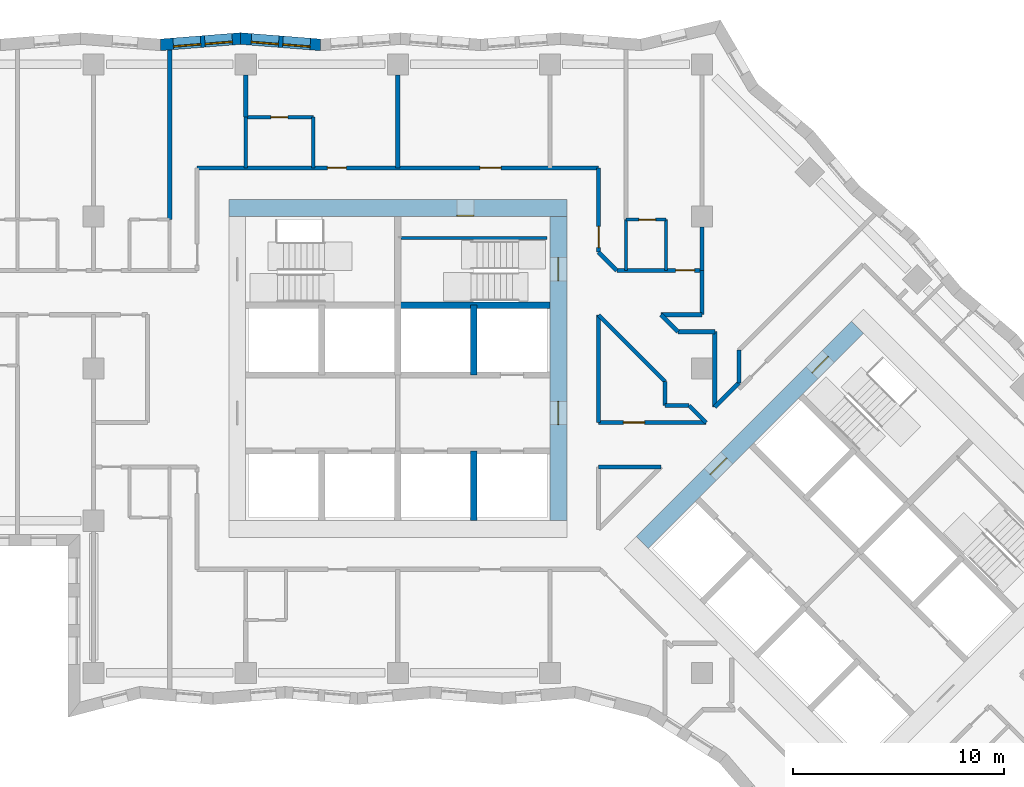
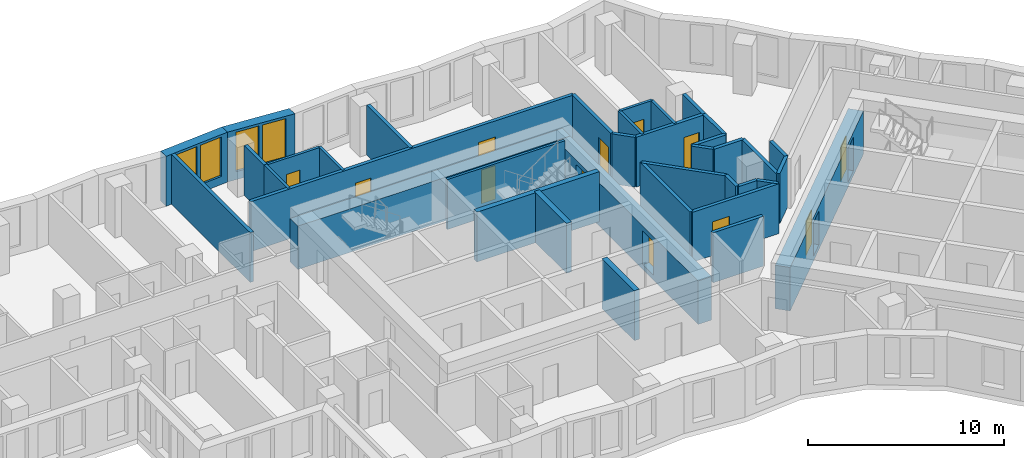
# One storey, part 6 of 12: 37 walls, 12 doors, 4 windows, 16 openings.
"""IFC4 building model written with IfcOpenShell, lengths in metres."""

from ifc_helpers import new_model, si_unit, direction, frame, frame_2d, origin, place, context, subcontext, project, spatial, polyline, rectangle, outline, extrude, material, layer, layer_set, type_object, element, fill, save


model = new_model("IFC4")

# Units and contexts
model_context = context("Model", 3, precision=1e-05, world=origin(), true_north=direction((0.0, 1.0)))
body_context = subcontext(model_context, "Body", "Model", "MODEL_VIEW")
ifc_project = project(units=[si_unit("LENGTHUNIT", "METRE"), si_unit("AREAUNIT", "SQUARE_METRE"), si_unit("VOLUMEUNIT", "CUBIC_METRE"), si_unit("PLANEANGLEUNIT", "RADIAN"), si_unit("MASSUNIT", "GRAM", prefix="KILO")], contexts=[model_context])

# Site, building, storey
site_placement = place(None, origin())
site = spatial("IfcSite", under=ifc_project, at=site_placement, CompositionType="ELEMENT")
building_placement = place(site_placement, origin())
building = spatial("IfcBuilding", under=site, at=building_placement, Name="Windrow Commons", CompositionType="ELEMENT")
storey_placement = place(building_placement, frame((0.0, 0.0, 81.2)))
storey = spatial("IfcBuildingStorey", under=building, at=storey_placement, Name="L21", CompositionType="ELEMENT", Elevation=81.2)

# Wall, openings, windows
ifc_material_1 = material(Name="Brick masonry, red clay brick", Category="masonry")
ifc_layer_1 = layer(ifc_material_1, 0.55)
ifc_layer_set_1 = layer_set([ifc_layer_1], Name="Brick facade wall 550")
wall_type_1 = type_object("IfcWallType", Name="Brick facade wall 550", PredefinedType="SOLIDWALL", material=ifc_layer_set_1)
wall_1_placement = place(storey_placement, frame((61.1418, 72.9241, 0.0), z_axis=(0.0, 0.0, 1.0), x_axis=(-0.9968746163, 0.078999996, 0.0)))
wall_1 = element("IfcWall", 1, at=wall_1_placement, inside=storey, type_object=wall_type_1, Name="Brick facade wall L21 26", PredefinedType="SOLIDWALL", context=body_context, shape_type="SweptSolid", body=[
    extrude(outline(polyline([(0.0218, -0.275), (3.8193, -0.275), (3.7757, 0.275), (-0.0218, 0.275), (0.0218, -0.275)])), origin(), (0.0, 0.0, 1.0), 3.1),
])
opening_1_placement = place(wall_1_placement, frame((0.4878, 0.0, 0.5)))
opening_1 = element("IfcOpeningElement", 2, at=opening_1_placement, cuts=wall_1, Name="Opening W1P", PredefinedType="OPENING", context=body_context, shape_type="SweptSolid", body=[
    extrude(rectangle(XDim=1.3, YDim=2.45, at=frame_2d((0.65, 1.225))), frame((0.0, 0.285, 0.0), z_axis=(0.0, -1.0, 0.0), x_axis=(1.0, 0.0, 0.0)), (0.0, 0.0, 1.0), 0.57),
])
opening_2_placement = place(wall_1_placement, frame((1.9878, 0.0, 0.5)))
opening_2 = element("IfcOpeningElement", 3, at=opening_2_placement, cuts=wall_1, Name="Opening W1P", PredefinedType="OPENING", context=body_context, shape_type="SweptSolid", body=[
    extrude(rectangle(XDim=1.3, YDim=2.45, at=frame_2d((0.65, 1.225))), frame((0.0, 0.285, 0.0), z_axis=(0.0, -1.0, 0.0), x_axis=(1.0, 0.0, 0.0)), (0.0, 0.0, 1.0), 0.57),
])
ifc_material_2 = material(Name="Clear float glass in anodised aluminium frame", Category="aluminium")
window_type = type_object("IfcWindowType", Name="Window W1P pair 1300x2450", PartitioningType="SINGLE_PANEL", PredefinedType="WINDOW", material=ifc_material_2)
window_1_placement = place(opening_1_placement, origin())
window_1 = element("IfcWindow", 4, at=window_1_placement, inside=storey, type_object=window_type, Name="Window L21 26.1A", OverallHeight=2.45, OverallWidth=1.3, PartitioningType="SINGLE_PANEL", PredefinedType="WINDOW", context=body_context, shape_type="SweptSolid", body=[
    extrude(rectangle(XDim=1.3, YDim=2.45, at=frame_2d((0.65, 1.225))), frame((0.0, 0.155, 0.0), z_axis=(0.0, -1.0, 0.0), x_axis=(1.0, 0.0, 0.0)), (0.0, 0.0, 1.0), 0.06),
])
fill(opening_1, window_1)
window_2_placement = place(opening_2_placement, origin())
window_2 = element("IfcWindow", 5, at=window_2_placement, inside=storey, type_object=window_type, Name="Window L21 26.1B", OverallHeight=2.45, OverallWidth=1.3, PartitioningType="SINGLE_PANEL", PredefinedType="WINDOW", context=body_context, shape_type="SweptSolid", body=[
    extrude(rectangle(XDim=1.3, YDim=2.45, at=frame_2d((0.65, 1.225))), frame((0.0, 0.155, 0.0), z_axis=(0.0, -1.0, 0.0), x_axis=(1.0, 0.0, 0.0)), (0.0, 0.0, 1.0), 0.06),
])
fill(opening_2, window_2)

wall_2_placement = place(storey_placement, frame((57.3562, 73.2241, 0.0), z_axis=(0.0, 0.0, 1.0), x_axis=(-0.9968746163, -0.078999996, 0.0)))
wall_2 = element("IfcWall", 6, at=wall_2_placement, inside=storey, type_object=wall_type_1, Name="Brick facade wall L21 27", PredefinedType="SOLIDWALL", context=body_context, shape_type="SweptSolid", body=[
    extrude(outline(polyline([(-0.0218, -0.275), (3.7757, -0.275), (3.8193, 0.275), (0.0218, 0.275), (-0.0218, -0.275)])), origin(), (0.0, 0.0, 1.0), 3.1),
])
opening_3_placement = place(wall_2_placement, frame((0.3942, 0.0, 0.5)))
opening_3 = element("IfcOpeningElement", 7, at=opening_3_placement, cuts=wall_2, Name="Opening W1P", PredefinedType="OPENING", context=body_context, shape_type="SweptSolid", body=[
    extrude(rectangle(XDim=1.3, YDim=2.45, at=frame_2d((0.65, 1.225))), frame((0.0, 0.285, 0.0), z_axis=(0.0, -1.0, 0.0), x_axis=(1.0, 0.0, 0.0)), (0.0, 0.0, 1.0), 0.57),
])
opening_4_placement = place(wall_2_placement, frame((1.8942, 0.0, 0.5)))
opening_4 = element("IfcOpeningElement", 8, at=opening_4_placement, cuts=wall_2, Name="Opening W1P", PredefinedType="OPENING", context=body_context, shape_type="SweptSolid", body=[
    extrude(rectangle(XDim=1.3, YDim=2.45, at=frame_2d((0.65, 1.225))), frame((0.0, 0.285, 0.0), z_axis=(0.0, -1.0, 0.0), x_axis=(1.0, 0.0, 0.0)), (0.0, 0.0, 1.0), 0.57),
])
window_3_placement = place(opening_3_placement, origin())
window_3 = element("IfcWindow", 9, at=window_3_placement, inside=storey, type_object=window_type, Name="Window L21 27.1A", OverallHeight=2.45, OverallWidth=1.3, PartitioningType="SINGLE_PANEL", PredefinedType="WINDOW", context=body_context, shape_type="SweptSolid", body=[
    extrude(rectangle(XDim=1.3, YDim=2.45, at=frame_2d((0.65, 1.225))), frame((0.0, 0.155, 0.0), z_axis=(0.0, -1.0, 0.0), x_axis=(1.0, 0.0, 0.0)), (0.0, 0.0, 1.0), 0.06),
])
fill(opening_3, window_3)
window_4_placement = place(opening_4_placement, origin())
window_4 = element("IfcWindow", 10, at=window_4_placement, inside=storey, type_object=window_type, Name="Window L21 27.1B", OverallHeight=2.45, OverallWidth=1.3, PartitioningType="SINGLE_PANEL", PredefinedType="WINDOW", context=body_context, shape_type="SweptSolid", body=[
    extrude(rectangle(XDim=1.3, YDim=2.45, at=frame_2d((0.65, 1.225))), frame((0.0, 0.155, 0.0), z_axis=(0.0, -1.0, 0.0), x_axis=(1.0, 0.0, 0.0)), (0.0, 0.0, 1.0), 0.06),
])
fill(opening_4, window_4)

# Wall, openings, doors
ifc_material_3 = material(Name="Blockwork partition", Category="masonry")
ifc_layer_2 = layer(ifc_material_3, 0.2)
ifc_layer_set_2 = layer_set([ifc_layer_2], Name="IW-CORRIDOR-200")
wall_type_2 = type_object("IfcWallType", Name="IW-CORRIDOR-200", PredefinedType="PARTITIONING", material=ifc_layer_set_2)
wall_3_placement = place(storey_placement, frame((55.3, 67.1, 0.0), z_axis=(0.0, 0.0, 1.0), x_axis=(1.0, 0.0, 0.0)))
wall_3 = element("IfcWall", 11, at=wall_3_placement, inside=storey, type_object=wall_type_2, Name="W-L21-W003", PredefinedType="PARTITIONING", context=body_context, shape_type="SweptSolid", body=[
    extrude(rectangle(XDim=19.0, YDim=0.2, at=frame_2d((9.5, 0.0))), origin(), (0.0, 0.0, 1.0), 3.1),
])
opening_5_placement = place(wall_3_placement, frame((6.1607, 0.0, 0.0)))
opening_5 = element("IfcOpeningElement", 12, at=opening_5_placement, cuts=wall_3, Name="Opening D109F", PredefinedType="OPENING", context=body_context, shape_type="SweptSolid", body=[
    extrude(rectangle(XDim=0.9, YDim=2.1, at=frame_2d((0.45, 1.05))), frame((0.0, 0.11, 0.0), z_axis=(0.0, -1.0, 0.0), x_axis=(1.0, 0.0, 0.0)), (0.0, 0.0, 1.0), 0.22),
])
opening_6_placement = place(wall_3_placement, frame((13.3862, 0.0, 0.0)))
opening_6 = element("IfcOpeningElement", 13, at=opening_6_placement, cuts=wall_3, Name="Opening D310F", PredefinedType="OPENING", context=body_context, shape_type="SweptSolid", body=[
    extrude(rectangle(XDim=1.0, YDim=2.1, at=frame_2d((0.5, 1.05))), frame((0.0, 0.11, 0.0), z_axis=(0.0, -1.0, 0.0), x_axis=(1.0, 0.0, 0.0)), (0.0, 0.0, 1.0), 0.22),
])
ifc_material_4 = material(Name="Timber door leaf", Category="wood")
door_type_1 = type_object("IfcDoorType", Name="DT-AMENITY-1000", OperationType="SINGLE_SWING_LEFT", PredefinedType="DOOR", material=ifc_material_4)
door_1_placement = place(opening_6_placement, origin())
door_1 = element("IfcDoor", 14, at=door_1_placement, inside=storey, type_object=door_type_1, Name="D-L21-D008", OperationType="SINGLE_SWING_RIGHT", OverallHeight=2.1, OverallWidth=1.0, PredefinedType="DOOR", context=body_context, shape_type="SweptSolid", body=[
    extrude(rectangle(XDim=1.0, YDim=2.1, at=frame_2d((0.5, 1.05))), frame((0.0, 0.025, 0.0), z_axis=(0.0, -1.0, 0.0), x_axis=(1.0, 0.0, 0.0)), (0.0, 0.0, 1.0), 0.05),
])
fill(opening_6, door_1)
ifc_material_5 = material(Name="Timber door leaf", Category="wood")
door_type_2 = type_object("IfcDoorType", Name="DT-BEDROOM-900", OperationType="SINGLE_SWING_LEFT", PredefinedType="DOOR", material=ifc_material_5)
door_2_placement = place(opening_5_placement, origin())
door_2 = element("IfcDoor", 15, at=door_2_placement, inside=storey, type_object=door_type_2, Name="D-L21-D006", OperationType="SINGLE_SWING_RIGHT", OverallHeight=2.1, OverallWidth=0.9, PredefinedType="DOOR", context=body_context, shape_type="SweptSolid", body=[
    extrude(rectangle(XDim=0.9, YDim=2.1, at=frame_2d((0.45, 1.05))), frame((0.0, 0.025, 0.0), z_axis=(0.0, -1.0, 0.0), x_axis=(1.0, 0.0, 0.0)), (0.0, 0.0, 1.0), 0.05),
])
fill(opening_5, door_2)

# Wall
wall_4_placement = place(storey_placement, frame((74.3, 55.05, 0.0), z_axis=(0.0, 0.0, 1.0), x_axis=(0.0, 1.0, 0.0)))
element("IfcWall", 16, at=wall_4_placement, inside=storey, type_object=wall_type_2, Name="W-L21-W037", PredefinedType="PARTITIONING", context=body_context, shape_type="SweptSolid", body=[
    extrude(rectangle(XDim=5.09, YDim=0.2, at=frame_2d((2.545, 0.0))), origin(), (0.0, 0.0, 1.0), 3.1),
])

# Wall, opening, door
wall_5_placement = place(storey_placement, frame((74.302, 55.05, 0.0), z_axis=(0.0, 0.0, 1.0), x_axis=(1.0, 0.0, 0.0)))
wall_5 = element("IfcWall", 17, at=wall_5_placement, inside=storey, type_object=wall_type_2, Name="W-L21-W038", PredefinedType="PARTITIONING", context=body_context, shape_type="SweptSolid", body=[
    extrude(rectangle(XDim=5.088, YDim=0.2, at=frame_2d((2.544, 0.0))), origin(), (0.0, 0.0, 1.0), 3.1),
])
opening_7_placement = place(wall_5_placement, frame((1.1759, 0.0, 0.0)))
opening_7 = element("IfcOpeningElement", 18, at=opening_7_placement, cuts=wall_5, Name="Opening D310F", PredefinedType="OPENING", context=body_context, shape_type="SweptSolid", body=[
    extrude(rectangle(XDim=1.0, YDim=2.1, at=frame_2d((0.5, 1.05))), frame((0.0, 0.11, 0.0), z_axis=(0.0, -1.0, 0.0), x_axis=(1.0, 0.0, 0.0)), (0.0, 0.0, 1.0), 0.22),
])
door_3_placement = place(opening_7_placement, origin())
door_3 = element("IfcDoor", 19, at=door_3_placement, inside=storey, type_object=door_type_1, Name="D-L21-D030", OperationType="SINGLE_SWING_LEFT", OverallHeight=2.1, OverallWidth=1.0, PredefinedType="DOOR", context=body_context, shape_type="SweptSolid", body=[
    extrude(rectangle(XDim=1.0, YDim=2.1, at=frame_2d((0.5, 1.05))), frame((0.0, 0.025, 0.0), z_axis=(0.0, -1.0, 0.0), x_axis=(1.0, 0.0, 0.0)), (0.0, 0.0, 1.0), 0.05),
])
fill(opening_7, door_3)

# Wall
wall_6_placement = place(storey_placement, frame((74.2986, 60.1366, 0.0), z_axis=(0.0, 0.0, 1.0), x_axis=(0.7071067812, -0.7071067812, 0.0)))
element("IfcWall", 20, at=wall_6_placement, inside=storey, type_object=wall_type_2, Name="W-L21-W044", PredefinedType="PARTITIONING", context=body_context, shape_type="SweptSolid", body=[
    extrude(rectangle(XDim=4.4519, YDim=0.2, at=frame_2d((2.226, 0.0))), origin(), (0.0, 0.0, 1.0), 3.1),
])

# Wall, opening, door
wall_7_placement = place(storey_placement, frame((75.162, 62.25, 0.0), z_axis=(0.0, 0.0, 1.0), x_axis=(1.0, 0.0, 0.0)))
wall_7 = element("IfcWall", 21, at=wall_7_placement, inside=storey, type_object=wall_type_2, Name="W-L21-W053", PredefinedType="PARTITIONING", context=body_context, shape_type="SweptSolid", body=[
    extrude(rectangle(XDim=4.038, YDim=0.2, at=frame_2d((2.019, 0.0))), origin(), (0.0, 0.0, 1.0), 3.1),
])
opening_8_placement = place(wall_7_placement, frame((2.788, 0.0, 0.0)))
opening_8 = element("IfcOpeningElement", 22, at=opening_8_placement, cuts=wall_7, Name="Opening D109S", PredefinedType="OPENING", context=body_context, shape_type="SweptSolid", body=[
    extrude(rectangle(XDim=0.9, YDim=2.1, at=frame_2d((0.45, 1.05))), frame((0.0, 0.11, 0.0), z_axis=(0.0, -1.0, 0.0), x_axis=(1.0, 0.0, 0.0)), (0.0, 0.0, 1.0), 0.22),
])
door_4_placement = place(opening_8_placement, origin())
door_4 = element("IfcDoor", 23, at=door_4_placement, inside=storey, type_object=door_type_2, Name="D-L21-D023", OperationType="SINGLE_SWING_LEFT", OverallHeight=2.1, OverallWidth=0.9, PredefinedType="DOOR", context=body_context, shape_type="SweptSolid", body=[
    extrude(rectangle(XDim=0.9, YDim=2.1, at=frame_2d((0.45, 1.05))), frame((0.0, 0.025, 0.0), z_axis=(0.0, -1.0, 0.0), x_axis=(1.0, 0.0, 0.0)), (0.0, 0.0, 1.0), 0.05),
])
fill(opening_8, door_4)

wall_8_placement = place(storey_placement, frame((74.3, 63.112, 0.0), z_axis=(0.0, 0.0, 1.0), x_axis=(0.0, 1.0, 0.0)))
wall_8 = element("IfcWall", 24, at=wall_8_placement, inside=storey, type_object=wall_type_2, Name="W-L21-W054", PredefinedType="PARTITIONING", context=body_context, shape_type="SweptSolid", body=[
    extrude(rectangle(XDim=3.988, YDim=0.2, at=frame_2d((1.994, 0.0))), origin(), (0.0, 0.0, 1.0), 3.1),
])
opening_9_placement = place(wall_8_placement, frame((0.2174, 0.0, 0.0)))
opening_9 = element("IfcOpeningElement", 25, at=opening_9_placement, cuts=wall_8, Name="Opening D310F", PredefinedType="OPENING", context=body_context, shape_type="SweptSolid", body=[
    extrude(rectangle(XDim=1.0, YDim=2.1, at=frame_2d((0.5, 1.05))), frame((0.0, 0.11, 0.0), z_axis=(0.0, -1.0, 0.0), x_axis=(1.0, 0.0, 0.0)), (0.0, 0.0, 1.0), 0.22),
])
door_5_placement = place(opening_9_placement, origin())
door_5 = element("IfcDoor", 26, at=door_5_placement, inside=storey, type_object=door_type_1, Name="D-L21-D022", OperationType="SINGLE_SWING_RIGHT", OverallHeight=2.1, OverallWidth=1.0, PredefinedType="DOOR", context=body_context, shape_type="SweptSolid", body=[
    extrude(rectangle(XDim=1.0, YDim=2.1, at=frame_2d((0.5, 1.05))), frame((0.0, 0.025, 0.0), z_axis=(0.0, -1.0, 0.0), x_axis=(1.0, 0.0, 0.0)), (0.0, 0.0, 1.0), 0.05),
])
fill(opening_9, door_5)

# Walls
wall_9_placement = place(storey_placement, frame((79.8, 55.774, 0.0), z_axis=(0.0, 0.0, 1.0), x_axis=(0.0, 1.0, 0.0)))
element("IfcWall", 27, at=wall_9_placement, inside=storey, type_object=wall_type_2, Name="W-L21-W059", PredefinedType="PARTITIONING", context=body_context, shape_type="SweptSolid", body=[
    extrude(rectangle(XDim=3.576, YDim=0.2, at=frame_2d((1.788, 0.0))), origin(), (0.0, 0.0, 1.0), 3.1),
])
wall_10_placement = place(storey_placement, frame((74.302, 52.95, 0.0), z_axis=(0.0, 0.0, 1.0), x_axis=(1.0, 0.0, 0.0)))
element("IfcWall", 28, at=wall_10_placement, inside=storey, type_object=wall_type_2, Name="W-L21-W065", PredefinedType="PARTITIONING", context=body_context, shape_type="SweptSolid", body=[
    extrude(rectangle(XDim=2.958, YDim=0.2, at=frame_2d((1.479, 0.0))), origin(), (0.0, 0.0, 1.0), 3.1),
])
wall_11_placement = place(storey_placement, frame((79.2, 60.15, 0.0), z_axis=(0.0, 0.0, 1.0), x_axis=(0.0, 1.0, 0.0)))
element("IfcWall", 29, at=wall_11_placement, inside=storey, type_object=wall_type_2, Name="W-L21-W103", PredefinedType="PARTITIONING", context=body_context, shape_type="SweptSolid", body=[
    extrude(rectangle(XDim=2.1, YDim=0.2, at=frame_2d((1.05, 0.0))), origin(), (0.0, 0.0, 1.0), 3.1),
])
wall_12_placement = place(storey_placement, frame((77.264, 60.15, 0.0), z_axis=(0.0, 0.0, 1.0), x_axis=(1.0, 0.0, 0.0)))
element("IfcWall", 30, at=wall_12_placement, inside=storey, type_object=wall_type_2, Name="W-L21-W122", PredefinedType="PARTITIONING", context=body_context, shape_type="SweptSolid", body=[
    extrude(rectangle(XDim=1.936, YDim=0.2, at=frame_2d((0.968, 0.0))), origin(), (0.0, 0.0, 1.0), 3.1),
])
wall_13_placement = place(storey_placement, frame((78.062, 59.35, 0.0), z_axis=(0.0, 0.0, 1.0), x_axis=(1.0, 0.0, 0.0)))
element("IfcWall", 31, at=wall_13_placement, inside=storey, type_object=wall_type_2, Name="W-L21-W139", PredefinedType="PARTITIONING", context=body_context, shape_type="SweptSolid", body=[
    extrude(rectangle(XDim=1.738, YDim=0.2, at=frame_2d((0.869, 0.0))), origin(), (0.0, 0.0, 1.0), 3.1),
])
wall_14_placement = place(storey_placement, frame((79.8007, 55.7733, 0.0), z_axis=(0.0, 0.0, 1.0), x_axis=(0.7071067812, 0.7071067812, 0.0)))
element("IfcWall", 32, at=wall_14_placement, inside=storey, type_object=wall_type_2, Name="W-L21-W142", PredefinedType="PARTITIONING", context=body_context, shape_type="SweptSolid", body=[
    extrude(rectangle(XDim=1.6235, YDim=0.2, at=frame_2d((0.8117, 0.0))), origin(), (0.0, 0.0, 1.0), 3.1),
])
wall_15_placement = place(storey_placement, frame((74.2965, 63.1085, 0.0), z_axis=(0.0, 0.0, 1.0), x_axis=(0.7071067812, -0.7071067812, 0.0)))
element("IfcWall", 33, at=wall_15_placement, inside=storey, type_object=wall_type_2, Name="W-L21-W148", PredefinedType="PARTITIONING", context=body_context, shape_type="SweptSolid", body=[
    extrude(rectangle(XDim=1.2191, YDim=0.2, at=frame_2d((0.6096, 0.0))), origin(), (0.0, 0.0, 1.0), 3.1),
])
for number, where, z_axis, x_axis, name in (
    (34, (77.452, 55.85, 0.0), (0.0, 0.0, 1.0), (1.0, 0.0, 0.0), "W-L21-W149"),
    (35, (77.45, 55.852, 0.0), (0.0, 0.0, 1.0), (0.0, 1.0, 0.0), "W-L21-W150"),
):
    element("IfcWall", number, at=place(storey_placement, frame(where, z_axis=z_axis, x_axis=x_axis)), inside=storey, type_object=wall_type_2, Name=name, PredefinedType="PARTITIONING", context=body_context, shape_type="SweptSolid", body=[
        extrude(rectangle(XDim=1.14, YDim=0.2, at=frame_2d((0.57, 0.0))), origin(), (0.0, 0.0, 1.0), 3.1),
    ])
for number, where, z_axis, x_axis, name in (
    (36, (77.2605, 60.1445, 0.0), (0.0, 0.0, 1.0), (0.7071067812, -0.7071067812, 0.0), "W-L21-W151"),
    (37, (78.5886, 55.8466, 0.0), (0.0, 0.0, 1.0), (0.7071067812, -0.7071067812, 0.0), "W-L21-W152"),
):
    element("IfcWall", number, at=place(storey_placement, frame(where, z_axis=z_axis, x_axis=x_axis)), inside=storey, type_object=wall_type_2, Name=name, PredefinedType="PARTITIONING", context=body_context, shape_type="SweptSolid", body=[
        extrude(rectangle(XDim=1.1285, YDim=0.2, at=frame_2d((0.5643, 0.0))), origin(), (0.0, 0.0, 1.0), 3.1),
    ])

# Wall, opening, door
ifc_material_6 = material(Name="Blockwork partition", Category="masonry")
ifc_layer_3 = layer(ifc_material_6, 0.15)
ifc_layer_set_3 = layer_set([ifc_layer_3], Name="IW-ENSUITE-150")
wall_type_3 = type_object("IfcWallType", Name="IW-ENSUITE-150", PredefinedType="PARTITIONING", material=ifc_layer_set_3)
wall_16_placement = place(storey_placement, frame((57.6, 69.5, 0.0), z_axis=(0.0, 0.0, 1.0), x_axis=(1.0, 0.0, 0.0)))
wall_16 = element("IfcWall", 38, at=wall_16_placement, inside=storey, type_object=wall_type_3, Name="W-L21-W061", PredefinedType="PARTITIONING", context=body_context, shape_type="SweptSolid", body=[
    extrude(rectangle(XDim=3.2, YDim=0.15, at=frame_2d((1.6, 0.0))), origin(), (0.0, 0.0, 1.0), 3.1),
])
opening_10_placement = place(wall_16_placement, frame((1.1958, 0.0, 0.0)))
opening_10 = element("IfcOpeningElement", 39, at=opening_10_placement, cuts=wall_16, Name="Opening D208N", PredefinedType="OPENING", context=body_context, shape_type="SweptSolid", body=[
    extrude(rectangle(XDim=0.8, YDim=2.1, at=frame_2d((0.4, 1.05))), frame((0.0, 0.085, 0.0), z_axis=(0.0, -1.0, 0.0), x_axis=(1.0, 0.0, 0.0)), (0.0, 0.0, 1.0), 0.17),
])
ifc_material_7 = material(Name="Timber door leaf", Category="wood")
door_type_3 = type_object("IfcDoorType", Name="DT-ENSUITE-800", OperationType="SINGLE_SWING_LEFT", PredefinedType="DOOR", material=ifc_material_7)
door_6_placement = place(opening_10_placement, origin())
door_6 = element("IfcDoor", 40, at=door_6_placement, inside=storey, type_object=door_type_3, Name="D-L21-D007", OperationType="SINGLE_SWING_RIGHT", OverallHeight=2.1, OverallWidth=0.8, PredefinedType="DOOR", context=body_context, shape_type="SweptSolid", body=[
    extrude(rectangle(XDim=0.8, YDim=2.1, at=frame_2d((0.4, 1.05))), frame((0.0, 0.025, 0.0), z_axis=(0.0, -1.0, 0.0), x_axis=(1.0, 0.0, 0.0)), (0.0, 0.0, 1.0), 0.05),
])
fill(opening_10, door_6)

# Walls
for number, where, z_axis, x_axis, name in (
    (41, (57.6, 67.1, 0.0), (0.0, 0.0, 1.0), (0.0, 1.0, 0.0), "W-L21-W083"),
    (42, (60.8, 67.1, 0.0), (0.0, 0.0, 1.0), (0.0, 1.0, 0.0), "W-L21-W084"),
    (43, (75.6, 62.25, 0.0), (0.0, 0.0, 1.0), (0.0, 1.0, 0.0), "W-L21-W085"),
    (44, (77.5, 62.25, 0.0), (0.0, 0.0, 1.0), (0.0, 1.0, 0.0), "W-L21-W086"),
):
    element("IfcWall", number, at=place(storey_placement, frame(where, z_axis=z_axis, x_axis=x_axis)), inside=storey, type_object=wall_type_3, Name=name, PredefinedType="PARTITIONING", context=body_context, shape_type="SweptSolid", body=[
        extrude(rectangle(XDim=2.4, YDim=0.15, at=frame_2d((1.2, 0.0))), origin(), (0.0, 0.0, 1.0), 3.1),
    ])

# Wall, opening, door
wall_17_placement = place(storey_placement, frame((75.6, 64.65, 0.0), z_axis=(0.0, 0.0, 1.0), x_axis=(1.0, 0.0, 0.0)))
wall_17 = element("IfcWall", 45, at=wall_17_placement, inside=storey, type_object=wall_type_3, Name="W-L21-W125", PredefinedType="PARTITIONING", context=body_context, shape_type="SweptSolid", body=[
    extrude(rectangle(XDim=1.9, YDim=0.15, at=frame_2d((0.95, 0.0))), origin(), (0.0, 0.0, 1.0), 3.1),
])
opening_11_placement = place(wall_17_placement, frame((0.6069, 0.0, 0.0)))
opening_11 = element("IfcOpeningElement", 46, at=opening_11_placement, cuts=wall_17, Name="Opening D208N", PredefinedType="OPENING", context=body_context, shape_type="SweptSolid", body=[
    extrude(rectangle(XDim=0.8, YDim=2.1, at=frame_2d((0.4, 1.05))), frame((0.0, 0.085, 0.0), z_axis=(0.0, -1.0, 0.0), x_axis=(1.0, 0.0, 0.0)), (0.0, 0.0, 1.0), 0.17),
])
door_7_placement = place(opening_11_placement, origin())
door_7 = element("IfcDoor", 47, at=door_7_placement, inside=storey, type_object=door_type_3, Name="D-L21-D024", OperationType="SINGLE_SWING_RIGHT", OverallHeight=2.1, OverallWidth=0.8, PredefinedType="DOOR", context=body_context, shape_type="SweptSolid", body=[
    extrude(rectangle(XDim=0.8, YDim=2.1, at=frame_2d((0.4, 1.05))), frame((0.0, 0.025, 0.0), z_axis=(0.0, -1.0, 0.0), x_axis=(1.0, 0.0, 0.0)), (0.0, 0.0, 1.0), 0.05),
])
fill(opening_11, door_7)

# Walls
ifc_material_8 = material(Name="Blockwork partition", Category="masonry")
ifc_layer_4 = layer(ifc_material_8, 0.2)
ifc_layer_set_4 = layer_set([ifc_layer_4], Name="IW-PARTY-200")
wall_type_4 = type_object("IfcWallType", Name="IW-PARTY-200", PredefinedType="PARTITIONING", material=ifc_layer_set_4)
wall_18_placement = place(storey_placement, frame((54.0, 64.65, 0.0), z_axis=(0.0, 0.0, 1.0), x_axis=(0.0, 1.0, 0.0)))
element("IfcWall", 48, at=wall_18_placement, inside=storey, type_object=wall_type_4, Name="W-L21-W019", PredefinedType="PARTITIONING", context=body_context, shape_type="SweptSolid", body=[
    extrude(rectangle(XDim=8.0323, YDim=0.2, at=frame_2d((4.0161, 0.0))), origin(), (0.0, 0.0, 1.0), 3.1),
])
wall_19_placement = place(storey_placement, frame((64.8, 67.1, 0.0), z_axis=(0.0, 0.0, 1.0), x_axis=(0.0, 1.0, 0.0)))
element("IfcWall", 49, at=wall_19_placement, inside=storey, type_object=wall_type_4, Name="W-L21-W045", PredefinedType="PARTITIONING", context=body_context, shape_type="SweptSolid", body=[
    extrude(rectangle(XDim=4.4, YDim=0.2, at=frame_2d((2.2, 0.0))), origin(), (0.0, 0.0, 1.0), 3.1),
])
wall_20_placement = place(storey_placement, frame((79.2, 62.25, 0.0), z_axis=(0.0, 0.0, 1.0), x_axis=(0.0, 1.0, 0.0)))
element("IfcWall", 50, at=wall_20_placement, inside=storey, type_object=wall_type_4, Name="W-L21-W116", PredefinedType="PARTITIONING", context=body_context, shape_type="SweptSolid", body=[
    extrude(rectangle(XDim=2.05, YDim=0.2, at=frame_2d((1.025, 0.0))), origin(), (0.0, 0.0, 1.0), 3.1),
])
wall_21_placement = place(storey_placement, frame((57.6, 69.5, 0.0), z_axis=(0.0, 0.0, 1.0), x_axis=(0.0, 1.0, 0.0)))
element("IfcWall", 51, at=wall_21_placement, inside=storey, type_object=wall_type_4, Name="W-L21-W119", PredefinedType="PARTITIONING", context=body_context, shape_type="SweptSolid", body=[
    extrude(rectangle(XDim=2.0, YDim=0.2, at=frame_2d((1.0, 0.0))), origin(), (0.0, 0.0, 1.0), 3.1),
])
wall_22_placement = place(storey_placement, frame((80.95, 56.92, 0.0), z_axis=(0.0, 0.0, 1.0), x_axis=(0.0, 1.0, 0.0)))
element("IfcWall", 52, at=wall_22_placement, inside=storey, type_object=wall_type_4, Name="W-L21-W144", PredefinedType="PARTITIONING", context=body_context, shape_type="SweptSolid", body=[
    extrude(rectangle(XDim=1.556, YDim=0.2, at=frame_2d((0.778, 0.0))), origin(), (0.0, 0.0, 1.0), 3.1),
])

# Wall, opening, door
ifc_material_9 = material(Name="Concrete C50/60", Category="concrete")
ifc_layer_5 = layer(ifc_material_9, 0.8)
ifc_layer_set_5 = layer_set([ifc_layer_5], Name="RC CORE WALL 800 C50/60")
wall_type_5 = type_object("IfcWallType", Name="RC CORE WALL 800 C50/60", PredefinedType="SHEAR", material=ifc_layer_set_5)
wall_23_placement = place(storey_placement, frame((56.8, 65.2, -0.3), z_axis=(0.0, 0.0, 1.0), x_axis=(1.0, 0.0, 0.0)))
wall_23 = element("IfcWall", 53, at=wall_23_placement, inside=storey, type_object=wall_type_5, Name="Core A wall outer-N", PredefinedType="SHEAR", context=body_context, shape_type="SweptSolid", body=[
    extrude(rectangle(XDim=16.0, YDim=0.8, at=frame_2d((8.0, 0.0))), origin(), (0.0, 0.0, 1.0), 2.7),
])
opening_12_placement = place(wall_23_placement, frame((10.8, 0.0, 0.3)))
opening_12 = element("IfcOpeningElement", 54, at=opening_12_placement, cuts=wall_23, Name="Opening D9", PredefinedType="OPENING", context=body_context, shape_type="SweptSolid", body=[
    extrude(rectangle(XDim=0.8, YDim=2.1, at=frame_2d((0.4, 1.05))), frame((0.0, 0.41, 0.0), z_axis=(0.0, -1.0, 0.0), x_axis=(1.0, 0.0, 0.0)), (0.0, 0.0, 1.0), 0.82),
])
ifc_material_10 = material(Name="Steel fire door leaf", Category="steel")
door_type_4 = type_object("IfcDoorType", Name="Riser access door 800", OperationType="SINGLE_SWING_LEFT", PredefinedType="DOOR", material=ifc_material_10)
door_8_placement = place(opening_12_placement, origin())
door_8 = element("IfcDoor", 55, at=door_8_placement, inside=storey, type_object=door_type_4, Name="Riser access door", OperationType="SINGLE_SWING_RIGHT", OverallHeight=2.1, OverallWidth=0.8, PredefinedType="DOOR", context=body_context, shape_type="SweptSolid", body=[
    extrude(rectangle(XDim=0.8, YDim=2.1, at=frame_2d((0.4, 1.05))), frame((0.0, -0.34, 0.0), z_axis=(0.0, -1.0, 0.0), x_axis=(1.0, 0.0, 0.0)), (0.0, 0.0, 1.0), 0.05),
])
fill(opening_12, door_8)

# Wall, openings, doors
wall_24_placement = place(storey_placement, frame((72.4, 50.4, -0.3), z_axis=(0.0, 0.0, 1.0), x_axis=(0.0, 1.0, 0.0)))
wall_24 = element("IfcWall", 56, at=wall_24_placement, inside=storey, type_object=wall_type_5, Name="Core A wall outer-E", PredefinedType="SHEAR", context=body_context, shape_type="SweptSolid", body=[
    extrude(rectangle(XDim=14.4, YDim=0.8, at=frame_2d((7.2, 0.0))), origin(), (0.0, 0.0, 1.0), 2.7),
])
opening_13_placement = place(wall_24_placement, frame((4.55, 0.0, 0.3)))
opening_13 = element("IfcOpeningElement", 57, at=opening_13_placement, cuts=wall_24, Name="Opening D6", PredefinedType="OPENING", context=body_context, shape_type="SweptSolid", body=[
    extrude(rectangle(XDim=1.1, YDim=2.1, at=frame_2d((0.55, 1.05))), frame((0.0, 0.41, 0.0), z_axis=(0.0, -1.0, 0.0), x_axis=(1.0, 0.0, 0.0)), (0.0, 0.0, 1.0), 0.82),
])
opening_14_placement = place(wall_24_placement, frame((11.35, 0.0, 0.3)))
opening_14 = element("IfcOpeningElement", 58, at=opening_14_placement, cuts=wall_24, Name="Opening D7", PredefinedType="OPENING", context=body_context, shape_type="SweptSolid", body=[
    extrude(rectangle(XDim=1.1, YDim=2.1, at=frame_2d((0.55, 1.05))), frame((0.0, 0.41, 0.0), z_axis=(0.0, -1.0, 0.0), x_axis=(1.0, 0.0, 0.0)), (0.0, 0.0, 1.0), 0.82),
])
ifc_material_11 = material(Name="Steel fire door leaf", Category="steel")
door_type_5 = type_object("IfcDoorType", Name="Core lobby door 1100", OperationType="SINGLE_SWING_LEFT", PredefinedType="DOOR", material=ifc_material_11)
door_9_placement = place(opening_13_placement, origin())
door_9 = element("IfcDoor", 59, at=door_9_placement, inside=storey, type_object=door_type_5, Name="Lift lobby door", OperationType="DOUBLE_DOOR_SINGLE_SWING", OverallHeight=2.1, OverallWidth=1.1, PredefinedType="DOOR", context=body_context, shape_type="SweptSolid", body=[
    extrude(rectangle(XDim=1.1, YDim=2.1, at=frame_2d((0.55, 1.05))), frame((0.0, 0.025, 0.0), z_axis=(0.0, -1.0, 0.0), x_axis=(1.0, 0.0, 0.0)), (0.0, 0.0, 1.0), 0.05),
])
fill(opening_13, door_9)
ifc_material_12 = material(Name="Steel fire door leaf", Category="steel")
door_type_6 = type_object("IfcDoorType", Name="Stair door 1100", OperationType="SINGLE_SWING_LEFT", PredefinedType="DOOR", material=ifc_material_12)
door_10_placement = place(opening_14_placement, origin())
door_10 = element("IfcDoor", 60, at=door_10_placement, inside=storey, type_object=door_type_6, Name="Stair door", OperationType="SINGLE_SWING_RIGHT", OverallHeight=2.1, OverallWidth=1.1, PredefinedType="DOOR", context=body_context, shape_type="SweptSolid", body=[
    extrude(rectangle(XDim=1.1, YDim=2.1, at=frame_2d((0.55, 1.05))), frame((0.0, 0.025, 0.0), z_axis=(0.0, -1.0, 0.0), x_axis=(1.0, 0.0, 0.0)), (0.0, 0.0, 1.0), 0.05),
])
fill(opening_14, door_10)

wall_25_placement = place(storey_placement, frame((76.3716, 49.3726, -0.3), z_axis=(0.0, 0.0, 1.0), x_axis=(0.7071067812, 0.7071067812, 0.0)))
wall_25 = element("IfcWall", 61, at=wall_25_placement, inside=storey, type_object=wall_type_5, Name="Core B wall outer-W", PredefinedType="SHEAR", context=body_context, shape_type="SweptSolid", body=[
    extrude(rectangle(XDim=14.3999, YDim=0.8, at=frame_2d((7.2, 0.0))), origin(), (0.0, 0.0, 1.0), 2.7),
])
opening_15_placement = place(wall_25_placement, frame((4.55, 0.0, 0.3)))
opening_15 = element("IfcOpeningElement", 62, at=opening_15_placement, cuts=wall_25, Name="Opening D6", PredefinedType="OPENING", context=body_context, shape_type="SweptSolid", body=[
    extrude(rectangle(XDim=1.1, YDim=2.1, at=frame_2d((0.55, 1.05))), frame((0.0, 0.41, 0.0), z_axis=(0.0, -1.0, 0.0), x_axis=(1.0, 0.0, 0.0)), (0.0, 0.0, 1.0), 0.82),
])
opening_16_placement = place(wall_25_placement, frame((11.35, 0.0, 0.3)))
opening_16 = element("IfcOpeningElement", 63, at=opening_16_placement, cuts=wall_25, Name="Opening D7", PredefinedType="OPENING", context=body_context, shape_type="SweptSolid", body=[
    extrude(rectangle(XDim=1.1, YDim=2.1, at=frame_2d((0.55, 1.05))), frame((0.0, 0.41, 0.0), z_axis=(0.0, -1.0, 0.0), x_axis=(1.0, 0.0, 0.0)), (0.0, 0.0, 1.0), 0.82),
])
door_11_placement = place(opening_15_placement, origin())
door_11 = element("IfcDoor", 64, at=door_11_placement, inside=storey, type_object=door_type_5, Name="Lift lobby door", OperationType="DOUBLE_DOOR_SINGLE_SWING", OverallHeight=2.1, OverallWidth=1.1, PredefinedType="DOOR", context=body_context, shape_type="SweptSolid", body=[
    extrude(rectangle(XDim=1.1, YDim=2.1, at=frame_2d((0.55, 1.05))), frame((0.0, 0.025, 0.0), z_axis=(0.0, -1.0, 0.0), x_axis=(1.0, 0.0, 0.0)), (0.0, 0.0, 1.0), 0.05),
])
fill(opening_15, door_11)
door_12_placement = place(opening_16_placement, origin())
door_12 = element("IfcDoor", 65, at=door_12_placement, inside=storey, type_object=door_type_6, Name="Stair door", OperationType="SINGLE_SWING_LEFT", OverallHeight=2.1, OverallWidth=1.1, PredefinedType="DOOR", context=body_context, shape_type="SweptSolid", body=[
    extrude(rectangle(XDim=1.1, YDim=2.1, at=frame_2d((0.55, 1.05))), frame((0.0, 0.025, 0.0), z_axis=(0.0, -1.0, 0.0), x_axis=(1.0, 0.0, 0.0)), (0.0, 0.0, 1.0), 0.05),
])
fill(opening_16, door_12)

# Walls
ifc_material_13 = material(Name="Concrete C50/60", Category="concrete")
ifc_layer_6 = layer(ifc_material_13, 0.3)
ifc_layer_set_6 = layer_set([ifc_layer_6], Name="RC SHAFT WALL 300 C50/60")
wall_type_6 = type_object("IfcWallType", Name="RC SHAFT WALL 300 C50/60", PredefinedType="SOLIDWALL", material=ifc_layer_set_6)
for number, where, z_axis, x_axis, name in (
    (66, (68.4, 50.4, 0.0), (0.0, 0.0, 1.0), (0.0, 1.0, 0.0), "Core A wall shaft-S3"),
    (67, (68.4, 57.3, 0.0), (0.0, 0.0, 1.0), (0.0, 1.0, 0.0), "Core A wall shaft-N3"),
):
    element("IfcWall", number, at=place(storey_placement, frame(where, z_axis=z_axis, x_axis=x_axis)), inside=storey, type_object=wall_type_6, Name=name, PredefinedType="SOLIDWALL", context=body_context, shape_type="SweptSolid", body=[
        extrude(rectangle(XDim=3.3, YDim=0.3, at=frame_2d((1.65, 0.0))), origin(), (0.0, 0.0, 1.0), 3.1),
    ])
wall_26_placement = place(storey_placement, frame((64.8, 60.6, 0.0), z_axis=(0.0, 0.0, 1.0), x_axis=(1.0, 0.0, 0.0)))
element("IfcWall", 68, at=wall_26_placement, inside=storey, type_object=wall_type_6, Name="Core A wall stair-S2", PredefinedType="SOLIDWALL", context=body_context, shape_type="SweptSolid", body=[
    extrude(rectangle(XDim=7.2, YDim=0.3, at=frame_2d((3.6, 0.0))), origin(), (0.0, 0.0, 1.0), 3.1),
])
ifc_material_14 = material(Name="Blockwork partition", Category="masonry")
ifc_layer_7 = layer(ifc_material_14, 0.15)
ifc_layer_set_7 = layer_set([ifc_layer_7], Name="Riser partition 150")
wall_type_7 = type_object("IfcWallType", Name="Riser partition 150", PredefinedType="PARTITIONING", material=ifc_layer_set_7)
wall_27_placement = place(storey_placement, frame((64.95, 63.78, 0.0), z_axis=(0.0, 0.0, 1.0), x_axis=(1.0, 0.0, 0.0)))
element("IfcWall", 69, at=wall_27_placement, inside=storey, type_object=wall_type_7, Name="W-core-strip-A-L21", PredefinedType="PARTITIONING", context=body_context, shape_type="SweptSolid", body=[
    extrude(rectangle(XDim=6.9, YDim=0.15, at=frame_2d((3.45, 0.0))), origin(), (0.0, 0.0, 1.0), 3.1),
])

save(model, "model.ifc")
